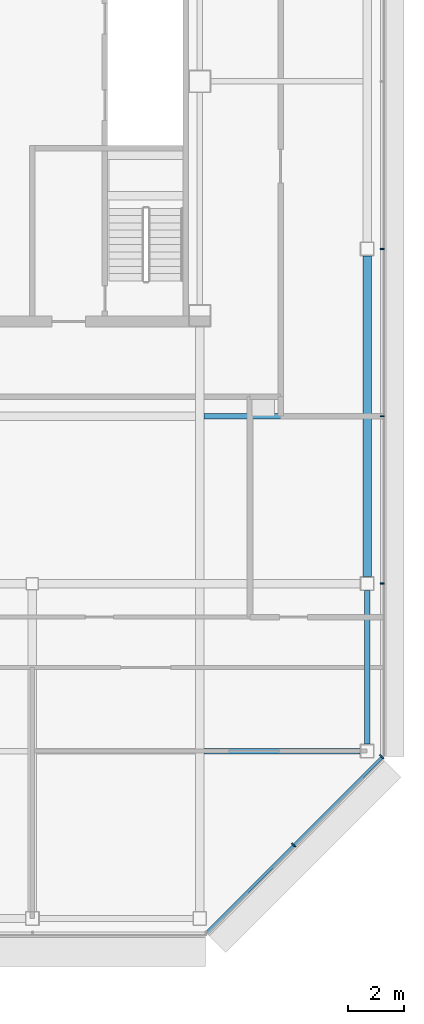
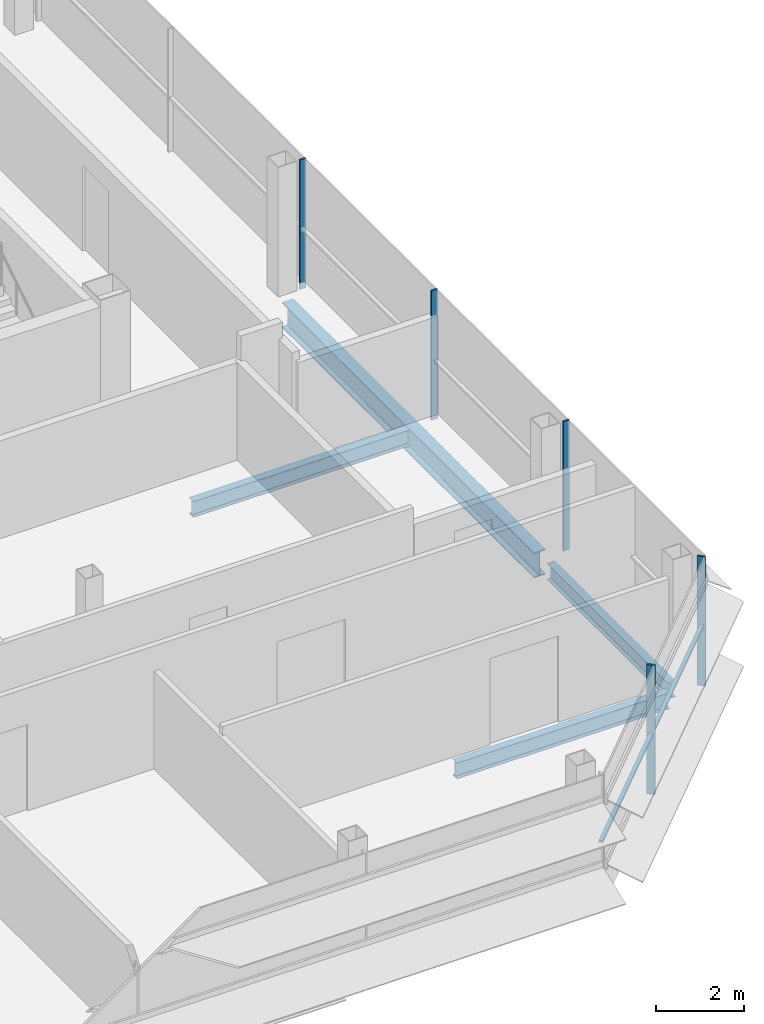
# One storey, part 19 of 31: 6 members, 4 beams, 2 elements without a shape of their own.
"""IFC4 building model written with IfcOpenShell, lengths in metres."""

from ifc_helpers import new_model, si_unit, direction, frame, origin, origin_2d, place, context, subcontext, project, spatial, rectangle, i_section, extrude, material, material_profile, profile_set, type_object, element, aggregate, save


model = new_model("IFC4")

# Units and contexts
model_context = context("Model", 3, precision=1e-05, world=origin(), true_north=direction((0.0, 1.0)))
body_context = subcontext(model_context, "Body", "Model", "MODEL_VIEW")
ifc_project = project(units=[si_unit("LENGTHUNIT", "METRE"), si_unit("AREAUNIT", "SQUARE_METRE"), si_unit("VOLUMEUNIT", "CUBIC_METRE"), si_unit("PLANEANGLEUNIT", "RADIAN"), si_unit("MASSUNIT", "GRAM", prefix="KILO")], contexts=[model_context])

# Site, building, storey
site_placement = place(None, origin())
site = spatial("IfcSite", under=ifc_project, at=site_placement, CompositionType="ELEMENT")
building_placement = place(site_placement, origin())
building = spatial("IfcBuilding", under=site, at=building_placement, Name="Sorahane Residences", CompositionType="ELEMENT")
storey_placement = place(building_placement, frame((0.0, 0.0, 319.60009765625)))
storey = spatial("IfcBuildingStorey", under=building, at=storey_placement, Name="L76", CompositionType="ELEMENT", Elevation=319.60009765625)

# Curtain wall, members
ifc_material_1 = material(Name="Dark low-e glass and black anodised aluminium", Category="aluminium")
curtain_wall_type_1 = type_object("IfcCurtainWallType", Name="Curtain wall CW-1 Typical unitised wall", PredefinedType="NOTDEFINED", material=ifc_material_1)
curtain_wall_1_placement = place(storey_placement, origin())
curtain_wall_1 = element("IfcCurtainWall", 1, at=curtain_wall_1_placement, inside=storey, type_object=curtain_wall_type_1, Name="CW-1 curtain wall L76 E2", PredefinedType="NOTDEFINED")
ifc_material_2 = material(Name="Black anodised aluminium", Category="aluminium")
ifc_material_profile_1 = material_profile(ifc_material_2, rectangle(XDim=0.159912109375, YDim=0.050048828125, at=origin_2d()), Name="Curtain wall mullion CW-1 black anodised aluminium 50x160")
ifc_profile_set_1 = profile_set([ifc_material_profile_1], Name="Black anodised aluminium")
member_type_1 = type_object("IfcMemberType", Name="Curtain wall mullion CW-1 black anodised aluminium 50x160", PredefinedType="MULLION", material=ifc_profile_set_1)
member_1_placement = place(storey_placement, frame((48.5400390625, 12.0, -0.18017578125), z_axis=(0.0, 0.0, 1.0), x_axis=(1.0, 0.0, 0.0)))
member_1 = element("IfcMember", 2, at=member_1_placement, type_object=member_type_1, Name="CW-1 mullion L76 E2.2", PredefinedType="MULLION", context=body_context, shape_type="SweptSolid", body=[
    extrude(rectangle(XDim=0.159912109375, YDim=0.050048828125, at=origin_2d()), origin(), (0.0, 0.0, 1.0), 3.60009765625),
])
member_2_placement = place(storey_placement, frame((48.5400390625, 18.0, -0.18017578125), z_axis=(0.0, 0.0, 1.0), x_axis=(1.0, 0.0, 0.0)))
member_2 = element("IfcMember", 3, at=member_2_placement, type_object=member_type_1, Name="CW-1 mullion L76 E2.3", PredefinedType="MULLION", context=body_context, shape_type="SweptSolid", body=[
    extrude(rectangle(XDim=0.159912109375, YDim=0.050048828125, at=origin_2d()), origin(), (0.0, 0.0, 1.0), 3.60009765625),
])
member_3_placement = place(storey_placement, frame((48.5400390625, 24.0, -0.18017578125), z_axis=(0.0, 0.0, 1.0), x_axis=(1.0, 0.0, 0.0)))
member_3 = element("IfcMember", 4, at=member_3_placement, type_object=member_type_1, Name="CW-1 mullion L76 E2.4", PredefinedType="MULLION", context=body_context, shape_type="SweptSolid", body=[
    extrude(rectangle(XDim=0.159912109375, YDim=0.050048828125, at=origin_2d()), origin(), (0.0, 0.0, 1.0), 3.60009765625),
])
aggregate(curtain_wall_1, [member_1, member_2, member_3])

ifc_material_3 = material(Name="Dark low-e glass and black anodised aluminium", Category="aluminium")
curtain_wall_type_2 = type_object("IfcCurtainWallType", Name="Curtain wall CW-2 Chamfer unitised wall", PredefinedType="NOTDEFINED", material=ifc_material_3)
curtain_wall_2_placement = place(storey_placement, origin())
curtain_wall_2 = element("IfcCurtainWall", 5, at=curtain_wall_2_placement, inside=storey, type_object=curtain_wall_type_2, Name="CW-2 curtain wall L76 SE1", PredefinedType="NOTDEFINED")
ifc_material_4 = material(Name="Black anodised aluminium", Category="aluminium")
ifc_material_profile_2 = material_profile(ifc_material_4, rectangle(XDim=0.199951171875, YDim=0.050048828125, at=origin_2d()), Name="Curtain wall mullion CW-2 black anodised aluminium 50x200")
ifc_profile_set_2 = profile_set([ifc_material_profile_2], Name="Black anodised aluminium")
member_type_2 = type_object("IfcMemberType", Name="Curtain wall mullion CW-2 black anodised aluminium 50x200", PredefinedType="MULLION", material=ifc_profile_set_2)
member_4_placement = place(storey_placement, frame((45.36767578125, 2.63232421875, -0.18017578125), z_axis=(0.0, 0.0, 1.0), x_axis=(0.707106781187, -0.707106781187, 0.0)))
member_4 = element("IfcMember", 6, at=member_4_placement, type_object=member_type_2, Name="CW-2 mullion L76 SE1.2", PredefinedType="MULLION", context=body_context, shape_type="SweptSolid", body=[
    extrude(rectangle(XDim=0.199951171875, YDim=0.050048828125, at=origin_2d()), origin(), (0.0, 0.0, 1.0), 3.60009765625),
])
member_5_placement = place(storey_placement, frame((48.525634765625, 5.790283203125, -0.18017578125), z_axis=(0.0, 0.0, 1.0), x_axis=(0.707106781187, -0.707106781187, 0.0)))
member_5 = element("IfcMember", 7, at=member_5_placement, type_object=member_type_2, Name="CW-2 mullion L76 SE1.3", PredefinedType="MULLION", context=body_context, shape_type="SweptSolid", body=[
    extrude(rectangle(XDim=0.199951171875, YDim=0.050048828125, at=origin_2d()), origin(), (0.0, 0.0, 1.0), 3.60009765625),
])
ifc_material_5 = material(Name="Black anodised aluminium", Category="aluminium")
ifc_material_profile_3 = material_profile(ifc_material_5, rectangle(XDim=0.10009765625, YDim=0.06005859375, at=origin_2d()), Name="Curtain wall transom CW-2 black anodised aluminium 60x100")
ifc_profile_set_3 = profile_set([ifc_material_profile_3], Name="Black anodised aluminium")
member_type_3 = type_object("IfcMemberType", Name="Curtain wall transom CW-2 black anodised aluminium 60x100", PredefinedType="USERDEFINED", material=ifc_profile_set_3)
member_6_placement = place(storey_placement, frame((42.234375, -0.51513671875, 1.5), z_axis=(0.707106781187, 0.707106781187, 0.0), x_axis=(-0.707106781187, 0.707106781187, 0.0)))
member_6 = element("IfcMember", 8, at=member_6_placement, type_object=member_type_3, Name="CW-2 transom L76 SE1", ObjectType="TRANSOM", PredefinedType="USERDEFINED", context=body_context, shape_type="SweptSolid", body=[
    extrude(rectangle(XDim=0.10009765625, YDim=0.06005859375, at=origin_2d()), origin(), (0.0, 0.0, 1.0), 8.88232421875),
])
aggregate(curtain_wall_2, [member_4, member_5, member_6])

# Beams
ifc_material_6 = material(Name="Steel Q355B", Category="steel")
ifc_material_profile_4 = material_profile(ifc_material_6, i_section(OverallWidth=0.199951171875, OverallDepth=0.449951171875, WebThickness=0.009033203125, FlangeThickness=0.013916015625, FilletRadius=0.02001953125, at=origin_2d()), Name="HN 450x200x9x14")
ifc_profile_set_4 = profile_set([ifc_material_profile_4], Name="Steel Q355B")
beam_type_1 = type_object("IfcBeamType", Name="Steel floor beam HN 450x200x9x14 Q355B", PredefinedType="BEAM", material=ifc_profile_set_4)
beam_1_placement = place(storey_placement, frame((48.0, 6.25, -0.405029296875), z_axis=(0.0, 1.0, 0.0), x_axis=(-1.0, 0.0, 0.0)))
element("IfcBeam", 9, at=beam_1_placement, inside=storey, type_object=beam_type_1, Name="Beam L76 061", PredefinedType="BEAM", context=body_context, shape_type="SweptSolid", body=[
    extrude(i_section(OverallWidth=0.199951171875, OverallDepth=0.449951171875, WebThickness=0.009033203125, FlangeThickness=0.013916015625, FilletRadius=0.02001953125, at=origin_2d()), origin(), (0.0, 0.0, 1.0), 5.5),
])
beam_2_placement = place(storey_placement, frame((42.14990234375, 6.0, -0.405029296875), z_axis=(1.0, 0.0, 0.0), x_axis=(0.0, 1.0, 0.0)))
element("IfcBeam", 10, at=beam_2_placement, inside=storey, type_object=beam_type_1, Name="Beam L76 073", PredefinedType="BEAM", context=body_context, shape_type="SweptSolid", body=[
    extrude(i_section(OverallWidth=0.199951171875, OverallDepth=0.449951171875, WebThickness=0.009033203125, FlangeThickness=0.013916015625, FilletRadius=0.02001953125, at=origin_2d()), origin(), (0.0, 0.0, 1.0), 5.60009765625),
])
beam_3_placement = place(storey_placement, frame((42.14990234375, 18.0, -0.405029296875), z_axis=(1.0, 0.0, 0.0), x_axis=(0.0, 1.0, 0.0)))
element("IfcBeam", 11, at=beam_3_placement, inside=storey, type_object=beam_type_1, Name="Beam L76 080", PredefinedType="BEAM", context=body_context, shape_type="SweptSolid", body=[
    extrude(i_section(OverallWidth=0.199951171875, OverallDepth=0.449951171875, WebThickness=0.009033203125, FlangeThickness=0.013916015625, FilletRadius=0.02001953125, at=origin_2d()), origin(), (0.0, 0.0, 1.0), 5.7001953125),
])
ifc_material_7 = material(Name="Steel Q355B", Category="steel")
ifc_material_profile_5 = material_profile(ifc_material_7, i_section(OverallWidth=0.300048828125, OverallDepth=0.699951171875, WebThickness=0.012939453125, FlangeThickness=0.02392578125, FilletRadius=0.028076171875, at=origin_2d()), Name="HN 700x300x13x24")
ifc_profile_set_5 = profile_set([ifc_material_profile_5], Name="Steel Q355B")
beam_type_2 = type_object("IfcBeamType", Name="Steel floor beam HN 700x300x13x24 Q355B", PredefinedType="BEAM", material=ifc_profile_set_5)
beam_4_placement = place(storey_placement, frame((48.0, 12.25, -0.530029296875), z_axis=(0.0, 1.0, 0.0), x_axis=(-1.0, 0.0, 0.0)))
element("IfcBeam", 12, at=beam_4_placement, inside=storey, type_object=beam_type_2, Name="Beam L76 062", PredefinedType="BEAM", context=body_context, shape_type="SweptSolid", body=[
    extrude(i_section(OverallWidth=0.300048828125, OverallDepth=0.699951171875, WebThickness=0.012939453125, FlangeThickness=0.02392578125, FilletRadius=0.028076171875, at=origin_2d()), origin(), (0.0, 0.0, 1.0), 11.5),
])

save(model, "model.ifc")
